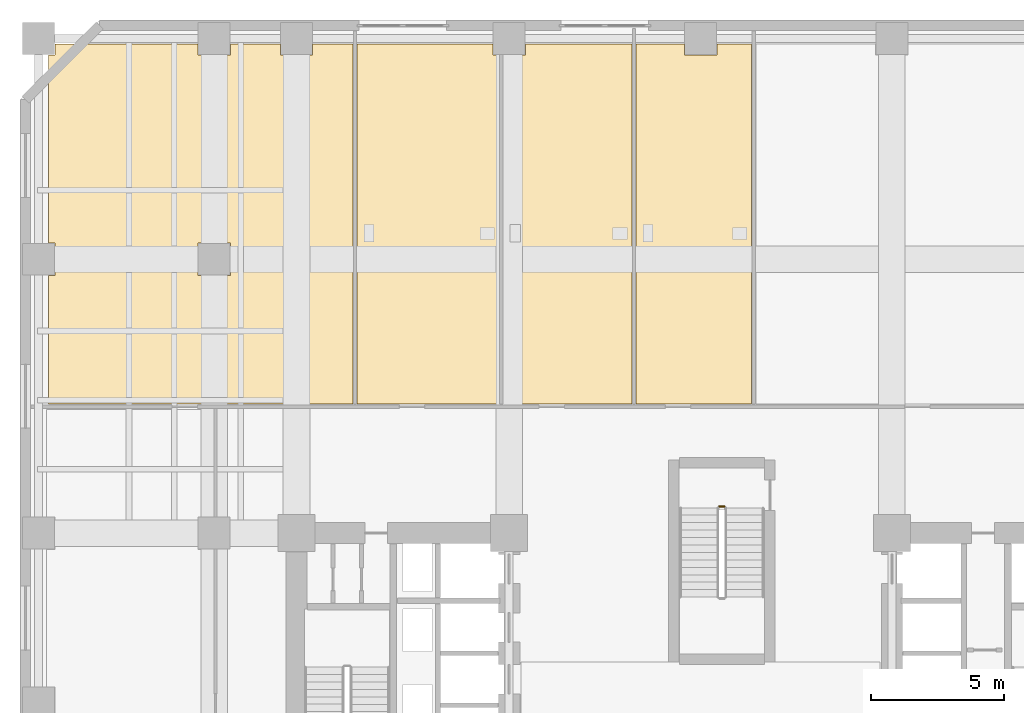
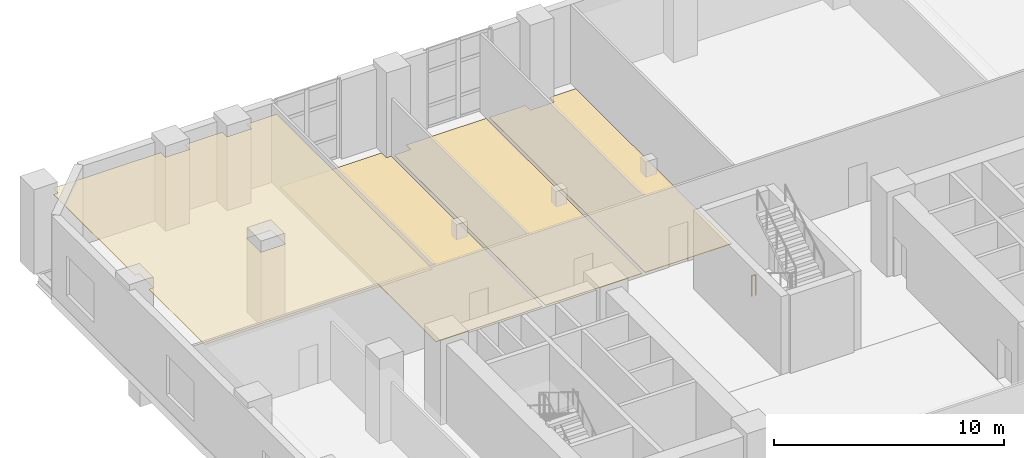
# One storey, part 13 of 15: 4 coverings, 1 railing.
"""IFC4 building model written with IfcOpenShell, lengths in metres."""

from ifc_helpers import new_model, si_unit, direction, frame, origin, origin_2d, place, context, subcontext, project, spatial, polyline, circle, outline, extrude, material, layer, layer_set, type_object, element, save


model = new_model("IFC4")

# Units and contexts
model_context = context("Model", 3, precision=1e-05, world=origin(), true_north=direction((0.0, 1.0)))
body_context = subcontext(model_context, "Body", "Model", "MODEL_VIEW")
ifc_project = project(units=[si_unit("LENGTHUNIT", "METRE"), si_unit("AREAUNIT", "SQUARE_METRE"), si_unit("VOLUMEUNIT", "CUBIC_METRE"), si_unit("PLANEANGLEUNIT", "RADIAN"), si_unit("MASSUNIT", "GRAM", prefix="KILO")], contexts=[model_context])

# Site, building, storey
site_placement = place(None, origin())
site = spatial("IfcSite", under=ifc_project, at=site_placement, CompositionType="ELEMENT")
building_placement = place(site_placement, origin())
building = spatial("IfcBuilding", under=site, at=building_placement, Name="Kranthara Brick Stack", CompositionType="ELEMENT")
storey_placement = place(building_placement, frame((0.0, 0.0, 5.39990234375)))
storey = spatial("IfcBuildingStorey", under=building, at=storey_placement, Name="L01", CompositionType="ELEMENT", Elevation=5.39990234375)

# Coverings
ifc_material_1 = material(Name="Perforated mineral-fibre acoustic ceiling tile", Category="other")
ifc_layer_1 = layer(ifc_material_1, 0.02490234375)
ifc_layer_set_1 = layer_set([ifc_layer_1], Name="Perforated mineral-fibre acoustic ceiling tile")
covering_type_1 = type_object("IfcCoveringType", Name="COV-CEIL-ACOUSTIC", PredefinedType="CEILING", material=ifc_layer_set_1)
covering_1_placement = place(storey_placement, frame((0.0, 0.0, 3.91015625)))
element("IfcCovering", 1, at=covering_1_placement, inside=storey, type_object=covering_type_1, Name="L01 Co-Working Open Workspace Acoustic Ceiling", PredefinedType="CEILING", context=body_context, shape_type="SweptSolid", body=[
    extrude(outline(polyline([(3.7099609375, 43.2900390625), (3.7099609375, 44.510009765625), (3.47998046875, 44.510009765625), (3.47998046875, 51.590087890625), (3.7099609375, 51.590087890625), (3.7099609375, 52.0), (9.090087890625, 52.0), (9.090087890625, 51.590087890625), (10.31005859375, 51.590087890625), (10.31005859375, 52.0), (12.18994140625, 52.0), (12.18994140625, 51.590087890625), (13.409912109375, 51.590087890625), (13.409912109375, 52.0), (14.919921875, 52.0), (14.919921875, 38.449951171875), (3.47998046875, 38.449951171875), (3.47998046875, 43.2900390625), (3.7099609375, 43.2900390625)]), holes=[polyline([(10.31005859375, 44.510009765625), (9.090087890625, 44.510009765625), (9.090087890625, 43.2900390625), (10.31005859375, 43.2900390625), (10.31005859375, 44.510009765625)])]), origin(), (0.0, 0.0, 1.0), 0.02490234375),
])
ifc_material_2 = material(Name="Honed terrazzo and porcelain floor finish", Category="stone")
ifc_layer_2 = layer(ifc_material_2, 0.030029296875)
ifc_layer_set_2 = layer_set([ifc_layer_2], Name="Honed terrazzo and porcelain floor finish")
covering_type_2 = type_object("IfcCoveringType", Name="COV-FLOR-STONE", PredefinedType="FLOORING", material=ifc_layer_set_2)
covering_2_placement = place(storey_placement, origin())
element("IfcCovering", 2, at=covering_2_placement, inside=storey, type_object=covering_type_2, Name="L01 Wet Room Porcelain Flooring", PredefinedType="FLOORING", context=body_context, shape_type="SweptSolid", body=[
    extrude(outline(polyline([(20.419921875, 38.449951171875), (15.080078125, 38.449951171875), (15.080078125, 52.0), (20.18994140625, 52.0), (20.18994140625, 51.590087890625), (20.419921875, 51.590087890625), (20.419921875, 38.449951171875)])), origin(), (0.0, 0.0, 1.0), 0.030029296875),
])
covering_3_placement = place(storey_placement, origin())
element("IfcCovering", 3, at=covering_3_placement, inside=storey, type_object=covering_type_2, Name="L01 Wet Room Porcelain Flooring", PredefinedType="FLOORING", context=body_context, shape_type="SweptSolid", body=[
    extrude(outline(polyline([(25.419921875, 52.0), (25.419921875, 38.449951171875), (20.580078125, 38.449951171875), (20.580078125, 51.590087890625), (21.409912109375, 51.590087890625), (21.409912109375, 52.0), (25.419921875, 52.0)])), origin(), (0.0, 0.0, 1.0), 0.030029296875),
])
covering_4_placement = place(storey_placement, origin())
element("IfcCovering", 4, at=covering_4_placement, inside=storey, type_object=covering_type_2, Name="L01 Wet Room Porcelain Flooring", PredefinedType="FLOORING", context=body_context, shape_type="SweptSolid", body=[
    extrude(outline(polyline([(29.919921875, 52.0), (29.919921875, 38.449951171875), (25.580078125, 38.449951171875), (25.580078125, 52.0), (27.389892578125, 52.0), (27.389892578125, 51.590087890625), (28.610107421875, 51.590087890625), (28.610107421875, 52.0), (29.919921875, 52.0)])), origin(), (0.0, 0.0, 1.0), 0.030029296875),
])

# Railing
ifc_material_3 = material(Name="Painted galvanized steel stair guardrail", Category="steel")
railing_type = type_object("IfcRailingType", Name="RL-STAIR-GUARD-1100", PredefinedType="GUARDRAIL", material=ifc_material_3)
railing_placement = place(storey_placement, frame((28.699951171875, 34.60009765625, 0.0)))
element("IfcRailing", 5, at=railing_placement, inside=storey, type_object=railing_type, Name="L01 ST04 stair guard 4", PredefinedType="GUARDRAIL", context=body_context, shape_type="SweptSolid", body=[
    extrude(circle(Radius=0.02392578125, at=origin_2d()), frame((0.0, 0.0, 1.076171875), z_axis=(1.0, 0.0, 0.0), x_axis=(0.0, 1.0, 0.0)), (0.0, 0.0, 1.0), 0.199951171875),
    extrude(circle(Radius=0.02099609375, at=origin_2d()), origin(), (0.0, 0.0, 1.0), 1.052001953125),
    extrude(circle(Radius=0.02099609375, at=origin_2d()), frame((0.199951171875, 0.0, 0.0)), (0.0, 0.0, 1.0), 1.052001953125),
])

save(model, "model.ifc")
